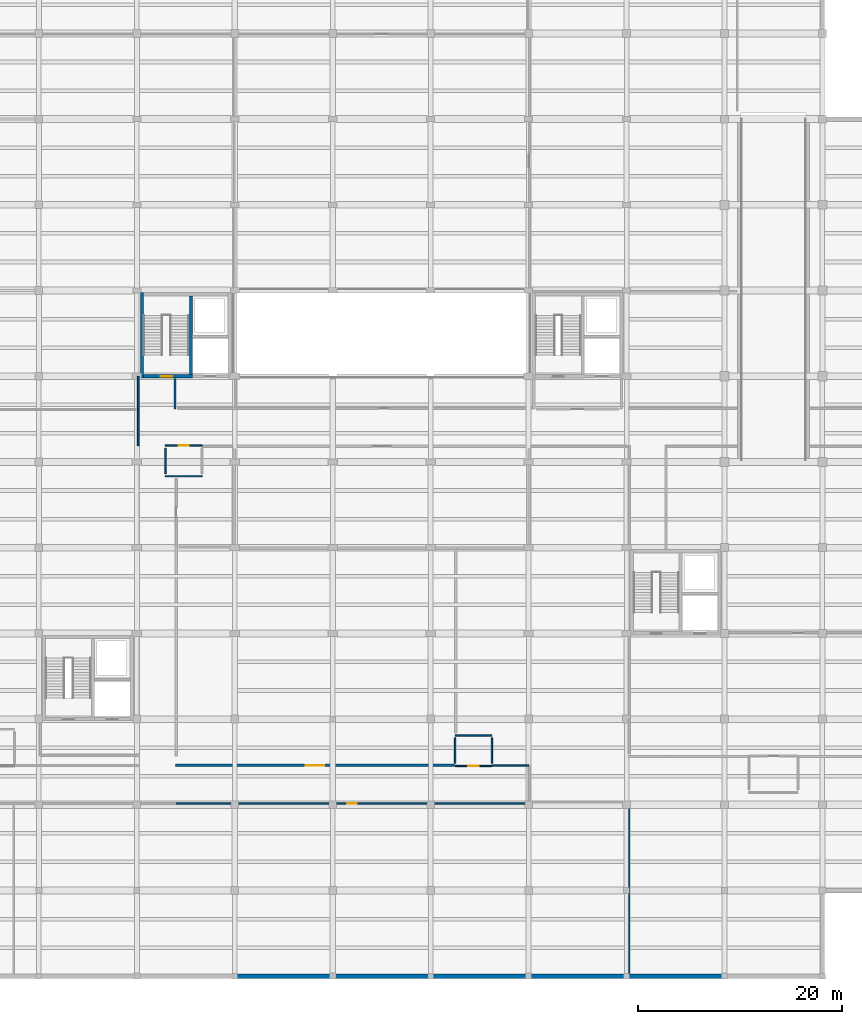
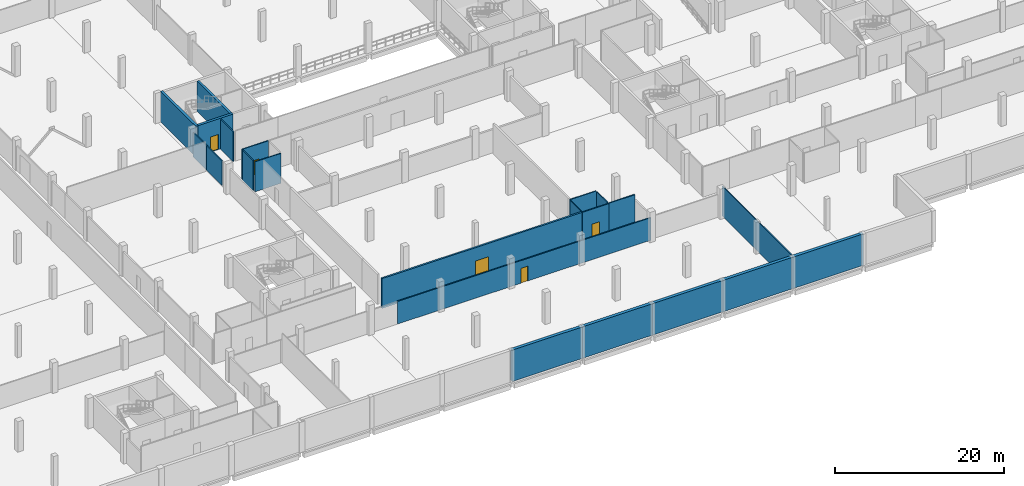
# One storey, part 18 of 30: 22 walls, 5 doors, 5 openings.
"""IFC4 building model written with IfcOpenShell, lengths in metres."""

from ifc_helpers import new_model, si_unit, direction, frame, frame_2d, origin, place, context, subcontext, project, spatial, rectangle, extrude, material, layer, layer_set, type_object, element, fill, save


model = new_model("IFC4")

# Units and contexts
model_context = context("Model", 3, precision=1e-05, world=origin(), true_north=direction((0.0, 1.0)))
body_context = subcontext(model_context, "Body", "Model", "MODEL_VIEW")
ifc_project = project(units=[si_unit("LENGTHUNIT", "METRE"), si_unit("AREAUNIT", "SQUARE_METRE"), si_unit("VOLUMEUNIT", "CUBIC_METRE"), si_unit("PLANEANGLEUNIT", "RADIAN"), si_unit("MASSUNIT", "GRAM", prefix="KILO")], contexts=[model_context])

# Site, building, storey
site_placement = place(None, origin())
site = spatial("IfcSite", under=ifc_project, at=site_placement, CompositionType="ELEMENT")
building_placement = place(site_placement, origin())
building = spatial("IfcBuilding", under=site, at=building_placement, Name="Lornevale Opera House", CompositionType="ELEMENT")
storey_placement = place(building_placement, frame((0.0, 0.0, -4.800048828125)))
storey = spatial("IfcBuildingStorey", under=building, at=storey_placement, Name="B1", CompositionType="ELEMENT", Elevation=-4.800048828125)

# Walls
ifc_material_1 = material(Name="Concrete 40 MPa (CSA A23.1 C-1)", Category="concrete")
ifc_layer_1 = layer(ifc_material_1, 0.419921875)
ifc_layer_set_1 = layer_set([ifc_layer_1], Name="Concrete 40 MPa (CSA A23.1 C-1)")
wall_type_1 = type_object("IfcWallType", Name="Basement Retaining Wall 420", PredefinedType="USERDEFINED", material=ifc_layer_set_1)
wall_1_placement = place(storey_placement, frame((76.800048828125, 0.0, 0.0), z_axis=(0.0, 0.0, 1.0), x_axis=(-1.0, 0.0, 0.0)))
element("IfcWall", 1, at=wall_1_placement, inside=storey, type_object=wall_type_1, Name="Basement Escarpment Plinth Wall WL-EXT-0093", ObjectType="RETAINING WALL", PredefinedType="USERDEFINED", context=body_context, shape_type="SweptSolid", body=[
    extrude(rectangle(XDim=9.60009765625, YDim=0.419921875, at=frame_2d((4.800048828125, 0.0))), origin(), (0.0, 0.0, 1.0), 4.550048828125),
])
wall_2_placement = place(storey_placement, frame((86.39990234375, 0.0, 0.0), z_axis=(0.0, 0.0, 1.0), x_axis=(-1.0, 0.0, 0.0)))
element("IfcWall", 2, at=wall_2_placement, inside=storey, type_object=wall_type_1, Name="Basement Escarpment Plinth Wall WL-EXT-0095", ObjectType="RETAINING WALL", PredefinedType="USERDEFINED", context=body_context, shape_type="SweptSolid", body=[
    extrude(rectangle(XDim=9.599853515625, YDim=0.419921875, at=frame_2d((4.7998046875, 0.0))), origin(), (0.0, 0.0, 1.0), 4.550048828125),
])
for number, where, z_axis, x_axis, name in (
    (3, (96.0, 0.0, 0.0), (0.0, 0.0, 1.0), (-1.0, 0.0, 0.0), "Basement Escarpment Plinth Wall WL-EXT-0097"),
    (4, (105.60009765625, 0.0, 0.0), (0.0, 0.0, 1.0), (-1.0, 0.0, 0.0), "Basement Escarpment Plinth Wall WL-EXT-0099"),
):
    element("IfcWall", number, at=place(storey_placement, frame(where, z_axis=z_axis, x_axis=x_axis)), inside=storey, type_object=wall_type_1, Name=name, ObjectType="RETAINING WALL", PredefinedType="USERDEFINED", context=body_context, shape_type="SweptSolid", body=[
        extrude(rectangle(XDim=9.60009765625, YDim=0.419921875, at=frame_2d((4.800048828125, 0.0))), origin(), (0.0, 0.0, 1.0), 4.550048828125),
    ])
wall_3_placement = place(storey_placement, frame((115.199951171875, 0.0, 0.0), z_axis=(0.0, 0.0, 1.0), x_axis=(-1.0, 0.0, 0.0)))
element("IfcWall", 5, at=wall_3_placement, inside=storey, type_object=wall_type_1, Name="Basement Escarpment Plinth Wall WL-EXT-0101", ObjectType="RETAINING WALL", PredefinedType="USERDEFINED", context=body_context, shape_type="SweptSolid", body=[
    extrude(rectangle(XDim=9.599853515625, YDim=0.419921875, at=frame_2d((4.7998046875, 0.0))), origin(), (0.0, 0.0, 1.0), 4.550048828125),
])

# Wall, opening, door
ifc_layer_2 = layer(ifc_material_1, 0.320068359375)
ifc_layer_set_2 = layer_set([ifc_layer_2], Name="Concrete 40 MPa (CSA A23.1 C-1)")
wall_type_2 = type_object("IfcWallType", Name="Core Shear Wall 320", PredefinedType="SHEAR", material=ifc_layer_set_2)
wall_4_placement = place(storey_placement, frame((58.260009765625, 58.800048828125, 0.0), z_axis=(0.0, 0.0, 1.0), x_axis=(1.0, 0.0, 0.0)))
wall_4 = element("IfcWall", 6, at=wall_4_placement, inside=storey, type_object=wall_type_2, Name="Auditorium West Tier Core Core Shear Wall 320 WL-COR-0155", PredefinedType="SHEAR", context=body_context, shape_type="SweptSolid", body=[
    extrude(rectangle(XDim=4.780029296875, YDim=0.320068359375, at=frame_2d((2.39013671875, 0.0))), origin(), (0.0, 0.0, 1.0), 4.43994140625),
])
opening_1_placement = place(wall_4_placement, frame((1.68994140625, 0.0, 0.0)))
opening_1 = element("IfcOpeningElement", 7, at=opening_1_placement, cuts=wall_4, Name="Opening DR-T10", PredefinedType="OPENING", context=body_context, shape_type="SweptSolid", body=[
    extrude(rectangle(XDim=1.10009765625, YDim=2.199951171875, at=frame_2d((0.550048828125, 1.10009765625))), frame((0.0, 0.169921875, 0.0), z_axis=(0.0, -1.0, 0.0), x_axis=(1.0, 0.0, 0.0)), (0.0, 0.0, 1.0), 0.340087890625),
])
ifc_material_2 = material(Name="Painted Hollow Metal Door Steel", Category="steel")
ifc_layer_3 = layer(ifc_material_2, 2.199951171875)
ifc_layer_set_3 = layer_set([ifc_layer_3], Name="Painted Hollow Metal Door Steel")
door_type_1 = type_object("IfcDoorType", Name="Protected Exit Stair Door L 1100x2200", OperationType="NOTDEFINED", PredefinedType="DOOR", material=ifc_layer_set_3)
door_1_placement = place(opening_1_placement, origin())
door_1 = element("IfcDoor", 8, at=door_1_placement, inside=storey, type_object=door_type_1, Name="C5 Stair Door B1", OperationType="SINGLE_SWING_LEFT", OverallHeight=2.199951171875, OverallWidth=1.10009765625, PredefinedType="DOOR", context=body_context, shape_type="SweptSolid", body=[
    extrude(rectangle(XDim=1.10009765625, YDim=2.199951171875, at=frame_2d((0.550048828125, 1.10009765625))), frame((0.0, 0.02490234375, 0.0), z_axis=(0.0, -1.0, 0.0), x_axis=(1.0, 0.0, 0.0)), (0.0, 0.0, 1.0), 0.050048828125),
])
fill(opening_1, door_1)

# Walls
wall_5_placement = place(storey_placement, frame((58.10009765625, 67.0, 0.0), z_axis=(0.0, 0.0, 1.0), x_axis=(0.0, -1.0, 0.0)))
element("IfcWall", 9, at=wall_5_placement, inside=storey, type_object=wall_type_2, Name="Auditorium West Tier Core Core Shear Wall 320 WL-COR-0158", PredefinedType="SHEAR", context=body_context, shape_type="SweptSolid", body=[
    extrude(rectangle(XDim=8.360107421875, YDim=0.320068359375, at=frame_2d((4.18017578125, 0.0))), origin(), (0.0, 0.0, 1.0), 4.43994140625),
])
ifc_material_3 = material(Name="Acoustic Mineral-Core Gypsum Partition", Category="gypsum")
ifc_layer_4 = layer(ifc_material_3, 0.1650390625)
ifc_layer_set_4 = layer_set([ifc_layer_4], Name="Acoustic Mineral-Core Gypsum Partition")
wall_type_3 = type_object("IfcWallType", Name="Corridor Rated Partition 165", PredefinedType="PARTITIONING", material=ifc_layer_set_4)
wall_6_placement = place(storey_placement, frame((57.739990234375, 55.60009765625, 0.0), z_axis=(0.0, 0.0, 1.0), x_axis=(0.0, 1.0, 0.0)))
element("IfcWall", 10, at=wall_6_placement, inside=storey, type_object=wall_type_3, Name="B1 Partition WL-INT-0579", PredefinedType="PARTITIONING", context=body_context, shape_type="SweptSolid", body=[
    extrude(rectangle(XDim=3.199951171875, YDim=0.1650390625, at=frame_2d((1.60009765625, 0.0))), origin(), (0.0, 0.0, 1.0), 3.56005859375),
])
wall_7_placement = place(storey_placement, frame((61.340087890625, 55.60009765625, 0.0), z_axis=(0.0, 0.0, 1.0), x_axis=(0.0, 1.0, 0.0)))
element("IfcWall", 11, at=wall_7_placement, inside=storey, type_object=wall_type_3, Name="B1 Partition WL-INT-0580", PredefinedType="PARTITIONING", context=body_context, shape_type="SweptSolid", body=[
    extrude(rectangle(XDim=2.949951171875, YDim=0.1650390625, at=frame_2d((1.47509765625, 0.0))), origin(), (0.0, 0.0, 1.0), 4.330078125),
])

# Wall, opening, door
wall_8_placement = place(storey_placement, frame((61.39990234375, 16.93994140625, 0.0), z_axis=(0.0, 0.0, 1.0), x_axis=(1.0, 0.0, 0.0)))
wall_8 = element("IfcWall", 12, at=wall_8_placement, inside=storey, type_object=wall_type_3, Name="B1 Partition WL-INT-0582", PredefinedType="PARTITIONING", context=body_context, shape_type="SweptSolid", body=[
    extrude(rectangle(XDim=34.60009765625, YDim=0.1650390625, at=frame_2d((17.300048828125, 0.0))), origin(), (0.0, 0.0, 1.0), 3.260009765625),
])
opening_2_placement = place(wall_8_placement, frame((16.824951171875, 0.0, 0.0)))
opening_2 = element("IfcOpeningElement", 13, at=opening_2_placement, cuts=wall_8, Name="Opening DR-T20", PredefinedType="OPENING", context=body_context, shape_type="SweptSolid", body=[
    extrude(rectangle(XDim=0.949951171875, YDim=2.14990234375, at=frame_2d((0.47509765625, 1.074951171875))), frame((0.0, 0.092529296875, 0.0), z_axis=(0.0, -1.0, 0.0), x_axis=(1.0, 0.0, 0.0)), (0.0, 0.0, 1.0), 0.18505859375),
])
ifc_material_4 = material(Name="White Oak Acoustic Panelling", Category="wood")
ifc_layer_5 = layer(ifc_material_4, 2.14990234375)
ifc_layer_set_5 = layer_set([ifc_layer_5], Name="White Oak Acoustic Panelling")
door_type_2 = type_object("IfcDoorType", Name="Soloist Dressing Door R 950x2150", OperationType="NOTDEFINED", PredefinedType="DOOR", material=ifc_layer_set_5)
door_2_placement = place(opening_2_placement, origin())
door_2 = element("IfcDoor", 14, at=door_2_placement, inside=storey, type_object=door_type_2, Name="Lower Escarpment Cafe & Cloakroom Door", OperationType="SINGLE_SWING_RIGHT", OverallHeight=2.14990234375, OverallWidth=0.949951171875, PredefinedType="DOOR", context=body_context, shape_type="SweptSolid", body=[
    extrude(rectangle(XDim=0.949951171875, YDim=2.14990234375, at=frame_2d((0.47509765625, 1.074951171875))), frame((0.0, 0.02490234375, 0.0), z_axis=(0.0, -1.0, 0.0), x_axis=(1.0, 0.0, 0.0)), (0.0, 0.0, 1.0), 0.050048828125),
])
fill(opening_2, door_2)

# Walls
wall_9_placement = place(storey_placement, frame((92.4599609375, 20.659912109375, 0.0), z_axis=(0.0, 0.0, 1.0), x_axis=(1.0, 0.0, 0.0)))
element("IfcWall", 15, at=wall_9_placement, inside=storey, type_object=wall_type_3, Name="B1 Partition WL-INT-0613", PredefinedType="PARTITIONING", context=body_context, shape_type="SweptSolid", body=[
    extrude(rectangle(XDim=3.5400390625, YDim=0.1650390625, at=frame_2d((1.77001953125, 0.0))), origin(), (0.0, 0.0, 1.0), 4.330078125),
])
wall_10_placement = place(storey_placement, frame((57.739990234375, 52.0, 0.0), z_axis=(0.0, 0.0, 1.0), x_axis=(0.0, 1.0, 0.0)))
element("IfcWall", 16, at=wall_10_placement, inside=storey, type_object=wall_type_3, Name="B1 Partition WL-INT-0621", PredefinedType="PARTITIONING", context=body_context, shape_type="SweptSolid", body=[
    extrude(rectangle(XDim=3.60009765625, YDim=0.1650390625, at=frame_2d((1.800048828125, 0.0))), origin(), (0.0, 0.0, 1.0), 3.56005859375),
])
ifc_layer_6 = layer(ifc_material_3, 0.125)
ifc_layer_set_6 = layer_set([ifc_layer_6], Name="Acoustic Mineral-Core Gypsum Partition")
wall_type_4 = type_object("IfcWallType", Name="Dressing Suite Partition 125", PredefinedType="PARTITIONING", material=ifc_layer_set_6)
wall_11_placement = place(storey_placement, frame((105.860107421875, 0.25, 0.0), z_axis=(0.0, 0.0, 1.0), x_axis=(0.0, 1.0, 0.0)))
element("IfcWall", 17, at=wall_11_placement, inside=storey, type_object=wall_type_4, Name="B1 Partition WL-INT-0653", PredefinedType="PARTITIONING", context=body_context, shape_type="SweptSolid", body=[
    extrude(rectangle(XDim=16.75, YDim=0.125, at=frame_2d((8.375, 0.0))), origin(), (0.0, 0.0, 1.0), 4.330078125),
])
ifc_layer_7 = layer(ifc_material_1, 0.280029296875)
ifc_layer_set_7 = layer_set([ifc_layer_7], Name="Concrete 40 MPa (CSA A23.1 C-1)")
wall_type_5 = type_object("IfcWallType", Name="Elevator Shaft Wall 280", PredefinedType="SHEAR", material=ifc_layer_set_7)
wall_12_placement = place(storey_placement, frame((62.89990234375, 58.9599609375, 0.0), z_axis=(0.0, 0.0, 1.0), x_axis=(0.0, 1.0, 0.0)))
element("IfcWall", 18, at=wall_12_placement, inside=storey, type_object=wall_type_5, Name="Auditorium West Tier Core Elevator Shaft Wall 280 WL-COR-0160", PredefinedType="SHEAR", context=body_context, shape_type="SweptSolid", body=[
    extrude(rectangle(XDim=7.719970703125, YDim=0.280029296875, at=frame_2d((3.85986328125, 0.0))), origin(), (0.0, 0.0, 1.0), 4.43994140625),
])

# Wall, opening, door
ifc_layer_8 = layer(ifc_material_3, 0.22998046875)
ifc_layer_set_8 = layer_set([ifc_layer_8], Name="Acoustic Mineral-Core Gypsum Partition")
wall_type_6 = type_object("IfcWallType", Name="Rehearsal Studio Acoustic Wall 230", PredefinedType="SOLIDWALL", material=ifc_layer_set_8)
wall_13_placement = place(storey_placement, frame((61.39990234375, 20.659912109375, 0.0), z_axis=(0.0, 0.0, 1.0), x_axis=(1.0, 0.0, 0.0)))
wall_13 = element("IfcWall", 19, at=wall_13_placement, inside=storey, type_object=wall_type_6, Name="B1 Partition WL-INT-0576", PredefinedType="SOLIDWALL", context=body_context, shape_type="SweptSolid", body=[
    extrude(rectangle(XDim=27.340087890625, YDim=0.22998046875, at=frame_2d((13.669921875, 0.0))), origin(), (0.0, 0.0, 1.0), 4.330078125),
])
opening_3_placement = place(wall_13_placement, frame((12.77001953125, 0.0, 0.0)))
opening_3 = element("IfcOpeningElement", 20, at=opening_3_placement, cuts=wall_13, Name="Opening DR-T18", PredefinedType="OPENING", context=body_context, shape_type="SweptSolid", body=[
    extrude(rectangle(XDim=1.800048828125, YDim=2.39990234375, at=frame_2d((0.89990234375, 1.199951171875))), frame((0.0, 0.125, 0.0), z_axis=(0.0, -1.0, 0.0), x_axis=(1.0, 0.0, 0.0)), (0.0, 0.0, 1.0), 0.25),
])
ifc_layer_9 = layer(ifc_material_4, 2.39990234375)
ifc_layer_set_9 = layer_set([ifc_layer_9], Name="White Oak Acoustic Panelling")
door_type_3 = type_object("IfcDoorType", Name="Rehearsal Studio Pair 1800x2400", OperationType="NOTDEFINED", PredefinedType="DOOR", material=ifc_layer_set_9)
door_3_placement = place(opening_3_placement, origin())
door_3 = element("IfcDoor", 21, at=door_3_placement, inside=storey, type_object=door_type_3, Name="Musician Warm-Up Rehearsal Studio Door", OperationType="DOUBLE_SWING_LEFT", OverallHeight=2.39990234375, OverallWidth=1.800048828125, PredefinedType="DOOR", context=body_context, shape_type="SweptSolid", body=[
    extrude(rectangle(XDim=1.800048828125, YDim=2.39990234375, at=frame_2d((0.89990234375, 1.199951171875))), frame((0.0, 0.02490234375, 0.0), z_axis=(0.0, -1.0, 0.0), x_axis=(1.0, 0.0, 0.0)), (0.0, 0.0, 1.0), 0.050048828125),
])
fill(opening_3, door_3)

ifc_material_5 = material(Name="Moisture-Resistant Ceramic & Gypsum Partition", Category="gypsum")
ifc_layer_10 = layer(ifc_material_5, 0.139892578125)
ifc_layer_set_10 = layer_set([ifc_layer_10], Name="Moisture-Resistant Ceramic & Gypsum Partition")
wall_type_7 = type_object("IfcWallType", Name="Washroom Moisture Partition 140", PredefinedType="PARTITIONING", material=ifc_layer_set_10)
wall_14_placement = place(storey_placement, frame((88.800048828125, 20.60009765625, 0.0), z_axis=(0.0, 0.0, 1.0), x_axis=(1.0, 0.0, 0.0)))
wall_14 = element("IfcWall", 22, at=wall_14_placement, inside=storey, type_object=wall_type_7, Name="Lower Concourse Accessible WC S Wall WL-INT-0440", PredefinedType="PARTITIONING", context=body_context, shape_type="SweptSolid", body=[
    extrude(rectangle(XDim=3.599853515625, YDim=0.139892578125, at=frame_2d((1.7998046875, 0.0))), origin(), (0.0, 0.0, 1.0), 4.320068359375),
])
opening_4_placement = place(wall_14_placement, frame((1.300048828125, 0.0, 0.0)))
opening_4 = element("IfcOpeningElement", 23, at=opening_4_placement, cuts=wall_14, Name="Opening DR-T23", PredefinedType="OPENING", context=body_context, shape_type="SweptSolid", body=[
    extrude(rectangle(XDim=1.0, YDim=2.14990234375, at=frame_2d((0.5, 1.074951171875))), frame((0.0, 0.079833984375, 0.0), z_axis=(0.0, -1.0, 0.0), x_axis=(1.0, 0.0, 0.0)), (0.0, 0.0, 1.0), 0.159912109375),
])
ifc_layer_11 = layer(ifc_material_4, 2.14990234375)
ifc_layer_set_11 = layer_set([ifc_layer_11], Name="White Oak Acoustic Panelling")
door_type_4 = type_object("IfcDoorType", Name="Accessible WC Door L 1000x2150", OperationType="NOTDEFINED", PredefinedType="DOOR", material=ifc_layer_set_11)
door_4_placement = place(opening_4_placement, origin())
door_4 = element("IfcDoor", 24, at=door_4_placement, inside=storey, type_object=door_type_4, Name="Lower Concourse Accessible WC Door", OperationType="SINGLE_SWING_LEFT", OverallHeight=2.14990234375, OverallWidth=1.0, PredefinedType="DOOR", context=body_context, shape_type="SweptSolid", body=[
    extrude(rectangle(XDim=1.0, YDim=2.14990234375, at=frame_2d((0.5, 1.074951171875))), frame((0.0, 0.02490234375, 0.0), z_axis=(0.0, -1.0, 0.0), x_axis=(1.0, 0.0, 0.0)), (0.0, 0.0, 1.0), 0.050048828125),
])
fill(opening_4, door_4)

# Walls
wall_15_placement = place(storey_placement, frame((88.800048828125, 23.60009765625, 0.0), z_axis=(0.0, 0.0, 1.0), x_axis=(1.0, 0.0, 0.0)))
element("IfcWall", 25, at=wall_15_placement, inside=storey, type_object=wall_type_7, Name="Lower Concourse Accessible WC N Wall WL-INT-0441", PredefinedType="PARTITIONING", context=body_context, shape_type="SweptSolid", body=[
    extrude(rectangle(XDim=3.599853515625, YDim=0.139892578125, at=frame_2d((1.7998046875, 0.0))), origin(), (0.0, 0.0, 1.0), 4.320068359375),
])
for number, where, z_axis, x_axis, name in (
    (26, (88.800048828125, 20.85009765625, 0.0), (0.0, 0.0, 1.0), (0.0, 1.0, 0.0), "Lower Concourse Accessible WC W Wall WL-INT-0442"),
    (27, (92.39990234375, 20.85009765625, 0.0), (0.0, 0.0, 1.0), (0.0, 1.0, 0.0), "Lower Concourse Accessible WC E Wall WL-INT-0443"),
):
    element("IfcWall", number, at=place(storey_placement, frame(where, z_axis=z_axis, x_axis=x_axis)), inside=storey, type_object=wall_type_7, Name=name, PredefinedType="PARTITIONING", context=body_context, shape_type="SweptSolid", body=[
        extrude(rectangle(XDim=2.5, YDim=0.139892578125, at=frame_2d((1.25, 0.0))), origin(), (0.0, 0.0, 1.0), 4.320068359375),
    ])
wall_16_placement = place(storey_placement, frame((60.39990234375, 49.0, 0.0), z_axis=(0.0, 0.0, 1.0), x_axis=(1.0, 0.0, 0.0)))
element("IfcWall", 28, at=wall_16_placement, inside=storey, type_object=wall_type_7, Name="Musician Warm-Up Accessible WC S Wall WL-INT-0444", PredefinedType="PARTITIONING", context=body_context, shape_type="SweptSolid", body=[
    extrude(rectangle(XDim=3.60009765625, YDim=0.139892578125, at=frame_2d((1.800048828125, 0.0))), origin(), (0.0, 0.0, 1.0), 4.320068359375),
])

# Wall, opening, door
wall_17_placement = place(storey_placement, frame((60.39990234375, 52.0, 0.0), z_axis=(0.0, 0.0, 1.0), x_axis=(1.0, 0.0, 0.0)))
wall_17 = element("IfcWall", 29, at=wall_17_placement, inside=storey, type_object=wall_type_7, Name="Musician Warm-Up Accessible WC N Wall WL-INT-0445", PredefinedType="PARTITIONING", context=body_context, shape_type="SweptSolid", body=[
    extrude(rectangle(XDim=3.60009765625, YDim=0.139892578125, at=frame_2d((1.800048828125, 0.0))), origin(), (0.0, 0.0, 1.0), 4.320068359375),
])
opening_5_placement = place(wall_17_placement, frame((1.300048828125, 0.0, 0.0)))
opening_5 = element("IfcOpeningElement", 30, at=opening_5_placement, cuts=wall_17, Name="Opening DR-T23", PredefinedType="OPENING", context=body_context, shape_type="SweptSolid", body=[
    extrude(rectangle(XDim=1.0, YDim=2.14990234375, at=frame_2d((0.5, 1.074951171875))), frame((0.0, 0.079833984375, 0.0), z_axis=(0.0, -1.0, 0.0), x_axis=(1.0, 0.0, 0.0)), (0.0, 0.0, 1.0), 0.159912109375),
])
door_5_placement = place(opening_5_placement, origin())
door_5 = element("IfcDoor", 31, at=door_5_placement, inside=storey, type_object=door_type_4, Name="Musician Warm-Up Accessible WC Door", OperationType="SINGLE_SWING_LEFT", OverallHeight=2.14990234375, OverallWidth=1.0, PredefinedType="DOOR", context=body_context, shape_type="SweptSolid", body=[
    extrude(rectangle(XDim=1.0, YDim=2.14990234375, at=frame_2d((0.5, 1.074951171875))), frame((0.0, 0.02490234375, 0.0), z_axis=(0.0, -1.0, 0.0), x_axis=(1.0, 0.0, 0.0)), (0.0, 0.0, 1.0), 0.050048828125),
])
fill(opening_5, door_5)

# Wall
wall_18_placement = place(storey_placement, frame((60.39990234375, 49.25, 0.0), z_axis=(0.0, 0.0, 1.0), x_axis=(0.0, 1.0, 0.0)))
element("IfcWall", 32, at=wall_18_placement, inside=storey, type_object=wall_type_7, Name="Musician Warm-Up Accessible WC W Wall WL-INT-0446", PredefinedType="PARTITIONING", context=body_context, shape_type="SweptSolid", body=[
    extrude(rectangle(XDim=2.5, YDim=0.139892578125, at=frame_2d((1.25, 0.0))), origin(), (0.0, 0.0, 1.0), 4.320068359375),
])

save(model, "model.ifc")
